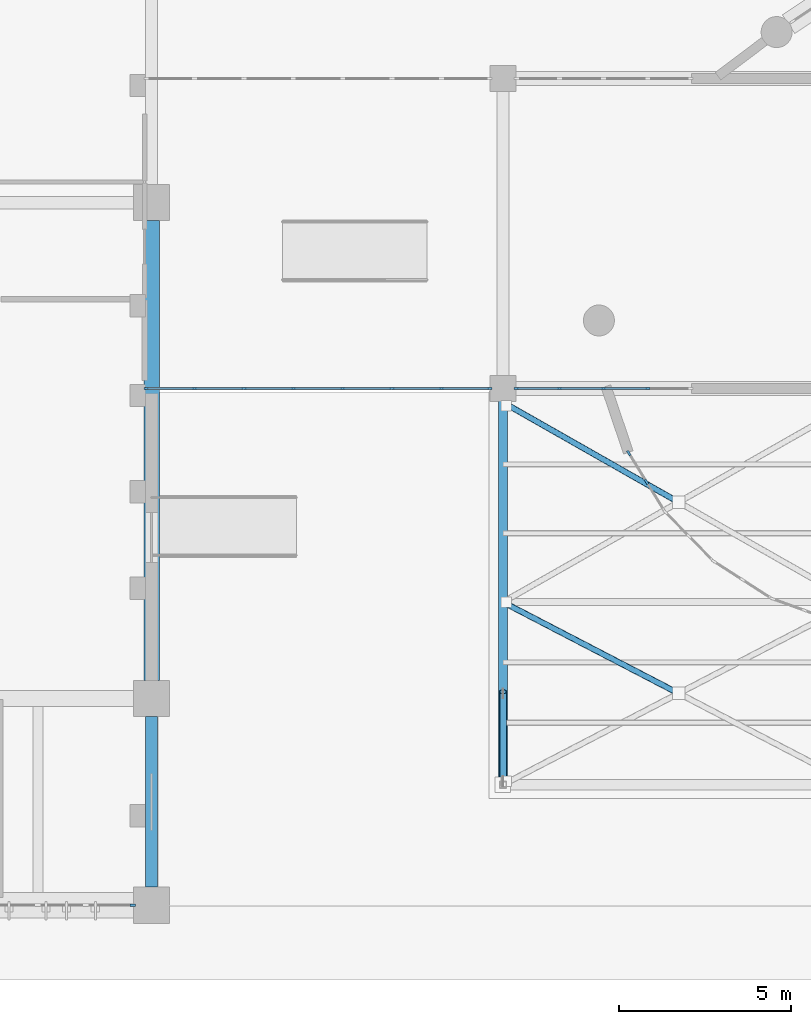
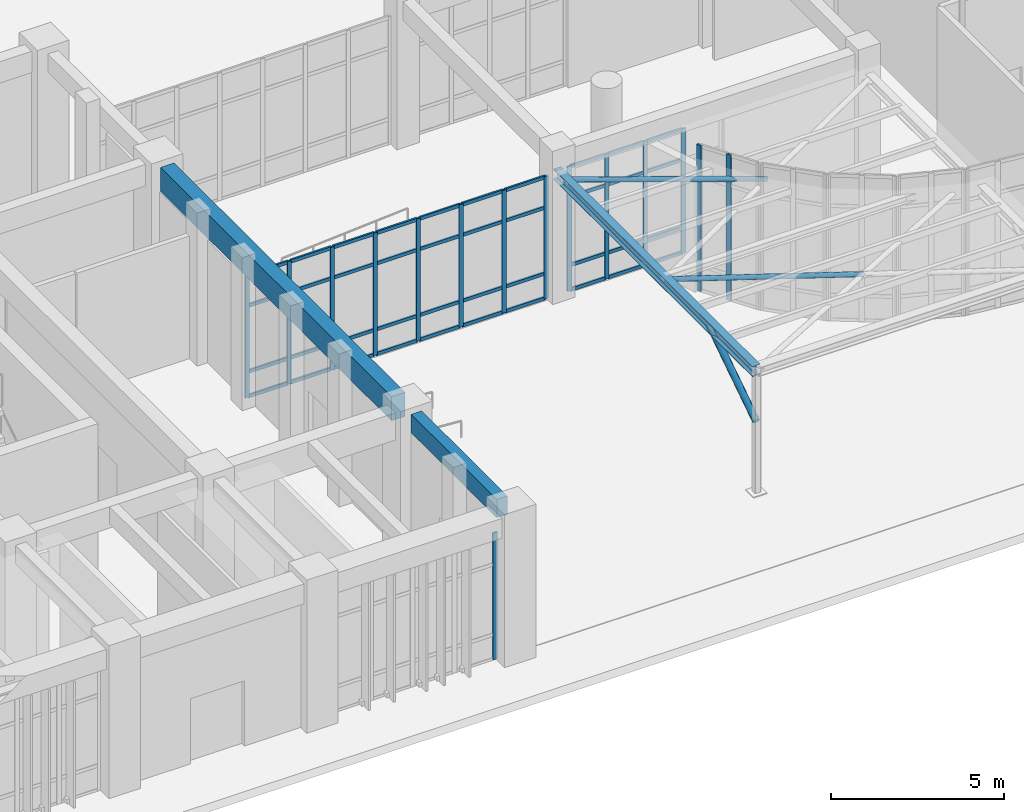
# One storey, part 9 of 70: 58 members, 3 beams, 4 elements without a shape of their own.
"""IFC4 building model written with IfcOpenShell, lengths in metres."""

from ifc_helpers import new_model, si_unit, direction, frame, origin, origin_2d, place, context, subcontext, project, spatial, rectangle, hollow_circle, i_section, extrude, material, layer, layer_set, material_profile, profile_set, type_object, element, aggregate, save


model = new_model("IFC4")

# Units and contexts
model_context = context("Model", 3, precision=1e-05, world=origin(), true_north=direction((0.0, 1.0)))
body_context = subcontext(model_context, "Body", "Model", "MODEL_VIEW")
ifc_project = project(units=[si_unit("LENGTHUNIT", "METRE"), si_unit("AREAUNIT", "SQUARE_METRE"), si_unit("VOLUMEUNIT", "CUBIC_METRE"), si_unit("PLANEANGLEUNIT", "RADIAN"), si_unit("MASSUNIT", "GRAM", prefix="KILO")], contexts=[model_context])

# Site, building, storey
site_placement = place(None, origin())
site = spatial("IfcSite", under=ifc_project, at=site_placement, CompositionType="ELEMENT")
building_placement = place(site_placement, origin())
building = spatial("IfcBuilding", under=site, at=building_placement, Name="Miralva Faculty of Natural Sciences", CompositionType="ELEMENT")
storey_placement = place(building_placement, origin())
storey = spatial("IfcBuildingStorey", under=building, at=storey_placement, Name="L00", CompositionType="ELEMENT", Elevation=0.0)

# Beams
ifc_material_1 = material(Name="Concrete C40/50", Category="concrete")
ifc_material_profile_1 = material_profile(ifc_material_1, rectangle(XDim=0.449951171875, YDim=0.85009765625, at=origin_2d()), Name="RC 450x850")
ifc_profile_set_1 = profile_set([ifc_material_profile_1], Name="Concrete C40/50")
beam_type_1 = type_object("IfcBeamType", Name="BM-B01", PredefinedType="BEAM", material=ifc_profile_set_1)
beam_1_placement = place(storey_placement, frame((36.0, 9.52490234375, 4.7548828125), z_axis=(0.0, 1.0, 0.0), x_axis=(-1.0, 0.0, 0.0)))
element("IfcBeam", 1, at=beam_1_placement, inside=storey, type_object=beam_type_1, Name="Girder NS L00-159", PredefinedType="BEAM", context=body_context, shape_type="SweptSolid", body=[
    extrude(rectangle(XDim=0.449951171875, YDim=0.85009765625, at=origin_2d()), origin(), (0.0, 0.0, 1.0), 13.35009765625),
])
ifc_material_profile_2 = material_profile(ifc_material_1, rectangle(XDim=0.35009765625, YDim=0.64990234375, at=origin_2d()), Name="RC 350x650")
ifc_profile_set_2 = profile_set([ifc_material_profile_2], Name="Concrete C40/50")
beam_type_2 = type_object("IfcBeamType", Name="BM-B05", PredefinedType="BEAM", material=ifc_profile_set_2)
beam_2_placement = place(storey_placement, frame((36.0, 3.52490234375, 4.85498046875), z_axis=(0.0, 1.0, 0.0), x_axis=(-1.0, 0.0, 0.0)))
element("IfcBeam", 2, at=beam_2_placement, inside=storey, type_object=beam_type_2, Name="Girder NS L00-158", PredefinedType="BEAM", context=body_context, shape_type="SweptSolid", body=[
    extrude(rectangle(XDim=0.35009765625, YDim=0.64990234375, at=origin_2d()), origin(), (0.0, 0.0, 1.0), 4.9501953125),
])
ifc_material_2 = material(Name="Steel S355", Category="steel")
ifc_material_profile_3 = material_profile(ifc_material_2, i_section(OverallWidth=0.257080078125, OverallDepth=0.363037109375, WebThickness=0.012939453125, FlangeThickness=0.021728515625, FilletRadius=0.014892578125, at=origin_2d()), Name="W360x122")
ifc_profile_set_3 = profile_set([ifc_material_profile_3], Name="Steel S355")
beam_type_3 = type_object("IfcBeamType", Name="BM-SB01", PredefinedType="BEAM", material=ifc_profile_set_3)
beam_3_placement = place(storey_placement, frame((46.199951171875, 6.5, 4.29296875), z_axis=(0.0, 1.0, 0.0), x_axis=(-1.0, 0.0, 0.0)))
element("IfcBeam", 3, at=beam_3_placement, inside=storey, type_object=beam_type_3, Name="Canopy tie steel girder 1", PredefinedType="BEAM", context=body_context, shape_type="SweptSolid", body=[
    extrude(i_section(OverallWidth=0.257080078125, OverallDepth=0.363037109375, WebThickness=0.012939453125, FlangeThickness=0.021728515625, FilletRadius=0.014892578125, at=origin_2d()), origin(), (0.0, 0.0, 1.0), 11.5),
])

# Curtain wall, members
ifc_material_3 = material(Name="Laminated solar-control glass", Category="glass")
ifc_layer_1 = layer(ifc_material_3, 0.179931640625, Name="CW-RND-L00")
ifc_layer_set_1 = layer_set([ifc_layer_1], Name="Laminated solar-control glass")
curtain_wall_type_1 = type_object("IfcCurtainWallType", Name="CW-RND-L00", PredefinedType="USERDEFINED", material=ifc_layer_set_1)
curtain_wall_1_placement = place(storey_placement, origin())
curtain_wall_1 = element("IfcCurtainWall", 4, at=curtain_wall_1_placement, inside=storey, type_object=curtain_wall_type_1, Name="Curtain wall CW-04 L00-20", ObjectType="UNITISED CURTAIN WALL", PredefinedType="USERDEFINED")
ifc_material_4 = material(Name="Anodised aluminium", Category="aluminium")
ifc_material_profile_4 = material_profile(ifc_material_4, rectangle(XDim=0.06494140625, YDim=0.159912109375, at=origin_2d()), Name="MULLION 65x160")
ifc_profile_set_4 = profile_set([ifc_material_profile_4], Name="Anodised aluminium")
member_type_1 = type_object("IfcMemberType", Name="CW-M02", PredefinedType="MULLION", material=ifc_profile_set_4)
member_1_placement = place(storey_placement, frame((49.855224609375, 16.125, 0.0), z_axis=(0.0, 0.0, 1.0), x_axis=(0.851994617353, 0.523550543884, 0.0)))
member_1 = element("IfcMember", 5, at=member_1_placement, type_object=member_type_1, Name="CW-04 mullion 1", PredefinedType="MULLION", context=body_context, shape_type="SweptSolid", body=[
    extrude(rectangle(XDim=0.06494140625, YDim=0.159912109375, at=origin_2d()), origin(), (0.0, 0.0, 1.0), 5.14990234375),
])
member_2_placement = place(storey_placement, frame((50.3671875, 15.2919921875, 0.0), z_axis=(0.0, 0.0, 1.0), x_axis=(0.851994617353, 0.523550543884, 0.0)))
member_2 = element("IfcMember", 6, at=member_2_placement, type_object=member_type_1, Name="CW-04 mullion 2", PredefinedType="MULLION", context=body_context, shape_type="SweptSolid", body=[
    extrude(rectangle(XDim=0.06494140625, YDim=0.159912109375, at=origin_2d()), origin(), (0.0, 0.0, 1.0), 5.14990234375),
])
aggregate(curtain_wall_1, [member_1, member_2])

# Curtain wall, member
ifc_layer_2 = layer(ifc_material_3, 0.179931640625, Name="CW-TWR-L00")
ifc_layer_set_2 = layer_set([ifc_layer_2], Name="Laminated solar-control glass")
curtain_wall_type_2 = type_object("IfcCurtainWallType", Name="CW-TWR-L00", PredefinedType="USERDEFINED", material=ifc_layer_set_2)
curtain_wall_2_placement = place(storey_placement, origin())
curtain_wall_2 = element("IfcCurtainWall", 7, at=curtain_wall_2_placement, inside=storey, type_object=curtain_wall_type_2, Name="Curtain wall CW-12 L00-212", ObjectType="UNITISED CURTAIN WALL", PredefinedType="USERDEFINED")
member_3_placement = place(storey_placement, frame((35.452392578125, 3.0, 0.0), z_axis=(0.0, 0.0, 1.0), x_axis=(0.0, 1.0, 0.0)))
member_3 = element("IfcMember", 8, at=member_3_placement, type_object=member_type_1, Name="CW-12 mullion 5", PredefinedType="MULLION", context=body_context, shape_type="SweptSolid", body=[
    extrude(rectangle(XDim=0.06494140625, YDim=0.159912109375, at=origin_2d()), origin(), (0.0, 0.0, 1.0), 4.47509765625),
])
aggregate(curtain_wall_2, [member_3])

# Curtain wall, members
ifc_layer_3 = layer(ifc_material_3, 0.179931640625, Name="CW-COM-L01")
ifc_layer_set_3 = layer_set([ifc_layer_3], Name="Laminated solar-control glass")
curtain_wall_type_3 = type_object("IfcCurtainWallType", Name="CW-COM-L01", PredefinedType="USERDEFINED", material=ifc_layer_set_3)
curtain_wall_3_placement = place(storey_placement, origin())
curtain_wall_3 = element("IfcCurtainWall", 9, at=curtain_wall_3_placement, inside=storey, type_object=curtain_wall_type_3, Name="Curtain wall CW-10 L00-282", ObjectType="UNITISED CURTAIN WALL", PredefinedType="USERDEFINED")
ifc_material_profile_5 = material_profile(ifc_material_4, rectangle(XDim=0.06005859375, YDim=0.139892578125, at=origin_2d()), Name="MULLION 60x140")
ifc_profile_set_5 = profile_set([ifc_material_profile_5], Name="Anodised aluminium")
member_type_2 = type_object("IfcMemberType", Name="CW-M03", PredefinedType="MULLION", material=ifc_profile_set_5)
member_4_placement = place(storey_placement, frame((35.844970703125, 18.0, 0.0), z_axis=(0.0, 0.0, 1.0), x_axis=(0.0, 1.0, 0.0)))
member_4 = element("IfcMember", 10, at=member_4_placement, type_object=member_type_2, Name="CW-10 mullion 1", PredefinedType="MULLION", context=body_context, shape_type="SweptSolid", body=[
    extrude(rectangle(XDim=0.06005859375, YDim=0.139892578125, at=origin_2d()), origin(), (0.0, 0.0, 1.0), 4.324951171875),
])
member_5_placement = place(storey_placement, frame((37.247802734375, 18.0, 0.0), z_axis=(0.0, 0.0, 1.0), x_axis=(0.0, 1.0, 0.0)))
member_5 = element("IfcMember", 11, at=member_5_placement, type_object=member_type_2, Name="CW-10 mullion 2", PredefinedType="MULLION", context=body_context, shape_type="SweptSolid", body=[
    extrude(rectangle(XDim=0.06005859375, YDim=0.139892578125, at=origin_2d()), origin(), (0.0, 0.0, 1.0), 4.324951171875),
])
member_6_placement = place(storey_placement, frame((38.6806640625, 18.0, 0.0), z_axis=(0.0, 0.0, 1.0), x_axis=(0.0, 1.0, 0.0)))
member_6 = element("IfcMember", 12, at=member_6_placement, type_object=member_type_2, Name="CW-10 mullion 3", PredefinedType="MULLION", context=body_context, shape_type="SweptSolid", body=[
    extrude(rectangle(XDim=0.06005859375, YDim=0.139892578125, at=origin_2d()), origin(), (0.0, 0.0, 1.0), 4.324951171875),
])
member_7_placement = place(storey_placement, frame((40.113525390625, 18.0, 0.0), z_axis=(0.0, 0.0, 1.0), x_axis=(0.0, 1.0, 0.0)))
member_7 = element("IfcMember", 13, at=member_7_placement, type_object=member_type_2, Name="CW-10 mullion 4", PredefinedType="MULLION", context=body_context, shape_type="SweptSolid", body=[
    extrude(rectangle(XDim=0.06005859375, YDim=0.139892578125, at=origin_2d()), origin(), (0.0, 0.0, 1.0), 4.324951171875),
])
member_8_placement = place(storey_placement, frame((41.54638671875, 18.0, 0.0), z_axis=(0.0, 0.0, 1.0), x_axis=(0.0, 1.0, 0.0)))
member_8 = element("IfcMember", 14, at=member_8_placement, type_object=member_type_2, Name="CW-10 mullion 5", PredefinedType="MULLION", context=body_context, shape_type="SweptSolid", body=[
    extrude(rectangle(XDim=0.06005859375, YDim=0.139892578125, at=origin_2d()), origin(), (0.0, 0.0, 1.0), 4.324951171875),
])
member_9_placement = place(storey_placement, frame((42.979248046875, 18.0, 0.0), z_axis=(0.0, 0.0, 1.0), x_axis=(0.0, 1.0, 0.0)))
member_9 = element("IfcMember", 15, at=member_9_placement, type_object=member_type_2, Name="CW-10 mullion 6", PredefinedType="MULLION", context=body_context, shape_type="SweptSolid", body=[
    extrude(rectangle(XDim=0.06005859375, YDim=0.139892578125, at=origin_2d()), origin(), (0.0, 0.0, 1.0), 4.324951171875),
])
member_10_placement = place(storey_placement, frame((44.412109375, 18.0, 0.0), z_axis=(0.0, 0.0, 1.0), x_axis=(0.0, 1.0, 0.0)))
member_10 = element("IfcMember", 16, at=member_10_placement, type_object=member_type_2, Name="CW-10 mullion 7", PredefinedType="MULLION", context=body_context, shape_type="SweptSolid", body=[
    extrude(rectangle(XDim=0.06005859375, YDim=0.139892578125, at=origin_2d()), origin(), (0.0, 0.0, 1.0), 4.324951171875),
])
member_11_placement = place(storey_placement, frame((45.81494140625, 18.0, 0.0), z_axis=(0.0, 0.0, 1.0), x_axis=(0.0, 1.0, 0.0)))
member_11 = element("IfcMember", 17, at=member_11_placement, type_object=member_type_2, Name="CW-10 mullion 8", PredefinedType="MULLION", context=body_context, shape_type="SweptSolid", body=[
    extrude(rectangle(XDim=0.06005859375, YDim=0.139892578125, at=origin_2d()), origin(), (0.0, 0.0, 1.0), 4.324951171875),
])

curtain_wall_4_placement = place(storey_placement, origin())
curtain_wall_4 = element("IfcCurtainWall", 18, at=curtain_wall_4_placement, inside=storey, type_object=curtain_wall_type_3, Name="Curtain wall CW-10 L00-283", ObjectType="UNITISED CURTAIN WALL", PredefinedType="USERDEFINED")
member_12_placement = place(storey_placement, frame((46.594970703125, 18.0, 0.0), z_axis=(0.0, 0.0, 1.0), x_axis=(0.0, 1.0, 0.0)))
member_12 = element("IfcMember", 19, at=member_12_placement, type_object=member_type_2, Name="CW-10 mullion 1", PredefinedType="MULLION", context=body_context, shape_type="SweptSolid", body=[
    extrude(rectangle(XDim=0.06005859375, YDim=0.139892578125, at=origin_2d()), origin(), (0.0, 0.0, 1.0), 4.405029296875),
])
member_13_placement = place(storey_placement, frame((47.84375, 18.0, 0.0), z_axis=(0.0, 0.0, 1.0), x_axis=(0.0, 1.0, 0.0)))
member_13 = element("IfcMember", 20, at=member_13_placement, type_object=member_type_2, Name="CW-10 mullion 2", PredefinedType="MULLION", context=body_context, shape_type="SweptSolid", body=[
    extrude(rectangle(XDim=0.06005859375, YDim=0.139892578125, at=origin_2d()), origin(), (0.0, 0.0, 1.0), 4.405029296875),
])
member_14_placement = place(storey_placement, frame((49.12255859375, 18.0, 0.0), z_axis=(0.0, 0.0, 1.0), x_axis=(0.0, 1.0, 0.0)))
member_14 = element("IfcMember", 21, at=member_14_placement, type_object=member_type_2, Name="CW-10 mullion 3", PredefinedType="MULLION", context=body_context, shape_type="SweptSolid", body=[
    extrude(rectangle(XDim=0.06005859375, YDim=0.139892578125, at=origin_2d()), origin(), (0.0, 0.0, 1.0), 4.405029296875),
])
member_15_placement = place(storey_placement, frame((50.4013671875, 18.0, 0.0), z_axis=(0.0, 0.0, 1.0), x_axis=(0.0, 1.0, 0.0)))
member_15 = element("IfcMember", 22, at=member_15_placement, type_object=member_type_2, Name="CW-10 mullion 4", PredefinedType="MULLION", context=body_context, shape_type="SweptSolid", body=[
    extrude(rectangle(XDim=0.06005859375, YDim=0.139892578125, at=origin_2d()), origin(), (0.0, 0.0, 1.0), 4.405029296875),
])

# Member
ifc_material_profile_6 = material_profile(ifc_material_4, rectangle(XDim=0.06005859375, YDim=0.1201171875, at=origin_2d()), Name="TRANSOM 60x120")
ifc_profile_set_6 = profile_set([ifc_material_profile_6], Name="Anodised aluminium")
member_type_3 = type_object("IfcMemberType", Name="CW-T02", PredefinedType="USERDEFINED", material=ifc_profile_set_6)
member_16_placement = place(storey_placement, frame((35.875, 18.0, 0.030029296875), z_axis=(1.0, 0.0, 0.0), x_axis=(0.0, 1.0, 0.0)))
member_16 = element("IfcMember", 23, at=member_16_placement, type_object=member_type_3, Name="CW-10 transom 1.1", ObjectType="TRANSOM", PredefinedType="USERDEFINED", context=body_context, shape_type="SweptSolid", body=[
    extrude(rectangle(XDim=0.06005859375, YDim=0.1201171875, at=origin_2d()), origin(), (0.0, 0.0, 1.0), 1.3427734375),
])

member_17_placement = place(storey_placement, frame((35.875, 18.0, 0.89990234375), z_axis=(1.0, 0.0, 0.0), x_axis=(0.0, 1.0, 0.0)))
member_17 = element("IfcMember", 24, at=member_17_placement, type_object=member_type_3, Name="CW-10 transom 1.2", ObjectType="TRANSOM", PredefinedType="USERDEFINED", context=body_context, shape_type="SweptSolid", body=[
    extrude(rectangle(XDim=0.06005859375, YDim=0.1201171875, at=origin_2d()), origin(), (0.0, 0.0, 1.0), 1.3427734375),
])

member_18_placement = place(storey_placement, frame((35.875, 18.0, 3.22509765625), z_axis=(1.0, 0.0, 0.0), x_axis=(0.0, 1.0, 0.0)))
member_18 = element("IfcMember", 25, at=member_18_placement, type_object=member_type_3, Name="CW-10 transom 1.3", ObjectType="TRANSOM", PredefinedType="USERDEFINED", context=body_context, shape_type="SweptSolid", body=[
    extrude(rectangle(XDim=0.06005859375, YDim=0.1201171875, at=origin_2d()), origin(), (0.0, 0.0, 1.0), 1.3427734375),
])

member_19_placement = place(storey_placement, frame((35.875, 18.0, 4.294921875), z_axis=(1.0, 0.0, 0.0), x_axis=(0.0, 1.0, 0.0)))
member_19 = element("IfcMember", 26, at=member_19_placement, type_object=member_type_3, Name="CW-10 transom 1.4", ObjectType="TRANSOM", PredefinedType="USERDEFINED", context=body_context, shape_type="SweptSolid", body=[
    extrude(rectangle(XDim=0.06005859375, YDim=0.1201171875, at=origin_2d()), origin(), (0.0, 0.0, 1.0), 1.3427734375),
])

member_20_placement = place(storey_placement, frame((37.27783203125, 18.0, 0.030029296875), z_axis=(1.0, 0.0, 0.0), x_axis=(0.0, 1.0, 0.0)))
member_20 = element("IfcMember", 27, at=member_20_placement, type_object=member_type_3, Name="CW-10 transom 2.1", ObjectType="TRANSOM", PredefinedType="USERDEFINED", context=body_context, shape_type="SweptSolid", body=[
    extrude(rectangle(XDim=0.06005859375, YDim=0.1201171875, at=origin_2d()), origin(), (0.0, 0.0, 1.0), 1.372802734375),
])

member_21_placement = place(storey_placement, frame((37.27783203125, 18.0, 0.89990234375), z_axis=(1.0, 0.0, 0.0), x_axis=(0.0, 1.0, 0.0)))
member_21 = element("IfcMember", 28, at=member_21_placement, type_object=member_type_3, Name="CW-10 transom 2.2", ObjectType="TRANSOM", PredefinedType="USERDEFINED", context=body_context, shape_type="SweptSolid", body=[
    extrude(rectangle(XDim=0.06005859375, YDim=0.1201171875, at=origin_2d()), origin(), (0.0, 0.0, 1.0), 1.372802734375),
])

member_22_placement = place(storey_placement, frame((37.27783203125, 18.0, 3.22509765625), z_axis=(1.0, 0.0, 0.0), x_axis=(0.0, 1.0, 0.0)))
member_22 = element("IfcMember", 29, at=member_22_placement, type_object=member_type_3, Name="CW-10 transom 2.3", ObjectType="TRANSOM", PredefinedType="USERDEFINED", context=body_context, shape_type="SweptSolid", body=[
    extrude(rectangle(XDim=0.06005859375, YDim=0.1201171875, at=origin_2d()), origin(), (0.0, 0.0, 1.0), 1.372802734375),
])

member_23_placement = place(storey_placement, frame((37.27783203125, 18.0, 4.294921875), z_axis=(1.0, 0.0, 0.0), x_axis=(0.0, 1.0, 0.0)))
member_23 = element("IfcMember", 30, at=member_23_placement, type_object=member_type_3, Name="CW-10 transom 2.4", ObjectType="TRANSOM", PredefinedType="USERDEFINED", context=body_context, shape_type="SweptSolid", body=[
    extrude(rectangle(XDim=0.06005859375, YDim=0.1201171875, at=origin_2d()), origin(), (0.0, 0.0, 1.0), 1.372802734375),
])

member_24_placement = place(storey_placement, frame((38.710693359375, 18.0, 0.030029296875), z_axis=(1.0, 0.0, 0.0), x_axis=(0.0, 1.0, 0.0)))
member_24 = element("IfcMember", 31, at=member_24_placement, type_object=member_type_3, Name="CW-10 transom 3.1", ObjectType="TRANSOM", PredefinedType="USERDEFINED", context=body_context, shape_type="SweptSolid", body=[
    extrude(rectangle(XDim=0.06005859375, YDim=0.1201171875, at=origin_2d()), origin(), (0.0, 0.0, 1.0), 1.372802734375),
])

member_25_placement = place(storey_placement, frame((38.710693359375, 18.0, 0.89990234375), z_axis=(1.0, 0.0, 0.0), x_axis=(0.0, 1.0, 0.0)))
member_25 = element("IfcMember", 32, at=member_25_placement, type_object=member_type_3, Name="CW-10 transom 3.2", ObjectType="TRANSOM", PredefinedType="USERDEFINED", context=body_context, shape_type="SweptSolid", body=[
    extrude(rectangle(XDim=0.06005859375, YDim=0.1201171875, at=origin_2d()), origin(), (0.0, 0.0, 1.0), 1.372802734375),
])

member_26_placement = place(storey_placement, frame((38.710693359375, 18.0, 3.22509765625), z_axis=(1.0, 0.0, 0.0), x_axis=(0.0, 1.0, 0.0)))
member_26 = element("IfcMember", 33, at=member_26_placement, type_object=member_type_3, Name="CW-10 transom 3.3", ObjectType="TRANSOM", PredefinedType="USERDEFINED", context=body_context, shape_type="SweptSolid", body=[
    extrude(rectangle(XDim=0.06005859375, YDim=0.1201171875, at=origin_2d()), origin(), (0.0, 0.0, 1.0), 1.372802734375),
])

member_27_placement = place(storey_placement, frame((38.710693359375, 18.0, 4.294921875), z_axis=(1.0, 0.0, 0.0), x_axis=(0.0, 1.0, 0.0)))
member_27 = element("IfcMember", 34, at=member_27_placement, type_object=member_type_3, Name="CW-10 transom 3.4", ObjectType="TRANSOM", PredefinedType="USERDEFINED", context=body_context, shape_type="SweptSolid", body=[
    extrude(rectangle(XDim=0.06005859375, YDim=0.1201171875, at=origin_2d()), origin(), (0.0, 0.0, 1.0), 1.372802734375),
])

member_28_placement = place(storey_placement, frame((40.1435546875, 18.0, 0.030029296875), z_axis=(1.0, 0.0, 0.0), x_axis=(0.0, 1.0, 0.0)))
member_28 = element("IfcMember", 35, at=member_28_placement, type_object=member_type_3, Name="CW-10 transom 4.1", ObjectType="TRANSOM", PredefinedType="USERDEFINED", context=body_context, shape_type="SweptSolid", body=[
    extrude(rectangle(XDim=0.06005859375, YDim=0.1201171875, at=origin_2d()), origin(), (0.0, 0.0, 1.0), 1.372802734375),
])

member_29_placement = place(storey_placement, frame((40.1435546875, 18.0, 0.89990234375), z_axis=(1.0, 0.0, 0.0), x_axis=(0.0, 1.0, 0.0)))
member_29 = element("IfcMember", 36, at=member_29_placement, type_object=member_type_3, Name="CW-10 transom 4.2", ObjectType="TRANSOM", PredefinedType="USERDEFINED", context=body_context, shape_type="SweptSolid", body=[
    extrude(rectangle(XDim=0.06005859375, YDim=0.1201171875, at=origin_2d()), origin(), (0.0, 0.0, 1.0), 1.372802734375),
])

member_30_placement = place(storey_placement, frame((40.1435546875, 18.0, 3.22509765625), z_axis=(1.0, 0.0, 0.0), x_axis=(0.0, 1.0, 0.0)))
member_30 = element("IfcMember", 37, at=member_30_placement, type_object=member_type_3, Name="CW-10 transom 4.3", ObjectType="TRANSOM", PredefinedType="USERDEFINED", context=body_context, shape_type="SweptSolid", body=[
    extrude(rectangle(XDim=0.06005859375, YDim=0.1201171875, at=origin_2d()), origin(), (0.0, 0.0, 1.0), 1.372802734375),
])

member_31_placement = place(storey_placement, frame((40.1435546875, 18.0, 4.294921875), z_axis=(1.0, 0.0, 0.0), x_axis=(0.0, 1.0, 0.0)))
member_31 = element("IfcMember", 38, at=member_31_placement, type_object=member_type_3, Name="CW-10 transom 4.4", ObjectType="TRANSOM", PredefinedType="USERDEFINED", context=body_context, shape_type="SweptSolid", body=[
    extrude(rectangle(XDim=0.06005859375, YDim=0.1201171875, at=origin_2d()), origin(), (0.0, 0.0, 1.0), 1.372802734375),
])

member_32_placement = place(storey_placement, frame((41.576416015625, 18.0, 0.030029296875), z_axis=(1.0, 0.0, 0.0), x_axis=(0.0, 1.0, 0.0)))
member_32 = element("IfcMember", 39, at=member_32_placement, type_object=member_type_3, Name="CW-10 transom 5.1", ObjectType="TRANSOM", PredefinedType="USERDEFINED", context=body_context, shape_type="SweptSolid", body=[
    extrude(rectangle(XDim=0.06005859375, YDim=0.1201171875, at=origin_2d()), origin(), (0.0, 0.0, 1.0), 1.372802734375),
])

member_33_placement = place(storey_placement, frame((41.576416015625, 18.0, 0.89990234375), z_axis=(1.0, 0.0, 0.0), x_axis=(0.0, 1.0, 0.0)))
member_33 = element("IfcMember", 40, at=member_33_placement, type_object=member_type_3, Name="CW-10 transom 5.2", ObjectType="TRANSOM", PredefinedType="USERDEFINED", context=body_context, shape_type="SweptSolid", body=[
    extrude(rectangle(XDim=0.06005859375, YDim=0.1201171875, at=origin_2d()), origin(), (0.0, 0.0, 1.0), 1.372802734375),
])

member_34_placement = place(storey_placement, frame((41.576416015625, 18.0, 3.22509765625), z_axis=(1.0, 0.0, 0.0), x_axis=(0.0, 1.0, 0.0)))
member_34 = element("IfcMember", 41, at=member_34_placement, type_object=member_type_3, Name="CW-10 transom 5.3", ObjectType="TRANSOM", PredefinedType="USERDEFINED", context=body_context, shape_type="SweptSolid", body=[
    extrude(rectangle(XDim=0.06005859375, YDim=0.1201171875, at=origin_2d()), origin(), (0.0, 0.0, 1.0), 1.372802734375),
])

member_35_placement = place(storey_placement, frame((41.576416015625, 18.0, 4.294921875), z_axis=(1.0, 0.0, 0.0), x_axis=(0.0, 1.0, 0.0)))
member_35 = element("IfcMember", 42, at=member_35_placement, type_object=member_type_3, Name="CW-10 transom 5.4", ObjectType="TRANSOM", PredefinedType="USERDEFINED", context=body_context, shape_type="SweptSolid", body=[
    extrude(rectangle(XDim=0.06005859375, YDim=0.1201171875, at=origin_2d()), origin(), (0.0, 0.0, 1.0), 1.372802734375),
])

member_36_placement = place(storey_placement, frame((43.00927734375, 18.0, 0.030029296875), z_axis=(1.0, 0.0, 0.0), x_axis=(0.0, 1.0, 0.0)))
member_36 = element("IfcMember", 43, at=member_36_placement, type_object=member_type_3, Name="CW-10 transom 6.1", ObjectType="TRANSOM", PredefinedType="USERDEFINED", context=body_context, shape_type="SweptSolid", body=[
    extrude(rectangle(XDim=0.06005859375, YDim=0.1201171875, at=origin_2d()), origin(), (0.0, 0.0, 1.0), 1.372802734375),
])

member_37_placement = place(storey_placement, frame((43.00927734375, 18.0, 0.89990234375), z_axis=(1.0, 0.0, 0.0), x_axis=(0.0, 1.0, 0.0)))
member_37 = element("IfcMember", 44, at=member_37_placement, type_object=member_type_3, Name="CW-10 transom 6.2", ObjectType="TRANSOM", PredefinedType="USERDEFINED", context=body_context, shape_type="SweptSolid", body=[
    extrude(rectangle(XDim=0.06005859375, YDim=0.1201171875, at=origin_2d()), origin(), (0.0, 0.0, 1.0), 1.372802734375),
])

member_38_placement = place(storey_placement, frame((43.00927734375, 18.0, 3.22509765625), z_axis=(1.0, 0.0, 0.0), x_axis=(0.0, 1.0, 0.0)))
member_38 = element("IfcMember", 45, at=member_38_placement, type_object=member_type_3, Name="CW-10 transom 6.3", ObjectType="TRANSOM", PredefinedType="USERDEFINED", context=body_context, shape_type="SweptSolid", body=[
    extrude(rectangle(XDim=0.06005859375, YDim=0.1201171875, at=origin_2d()), origin(), (0.0, 0.0, 1.0), 1.372802734375),
])

member_39_placement = place(storey_placement, frame((43.00927734375, 18.0, 4.294921875), z_axis=(1.0, 0.0, 0.0), x_axis=(0.0, 1.0, 0.0)))
member_39 = element("IfcMember", 46, at=member_39_placement, type_object=member_type_3, Name="CW-10 transom 6.4", ObjectType="TRANSOM", PredefinedType="USERDEFINED", context=body_context, shape_type="SweptSolid", body=[
    extrude(rectangle(XDim=0.06005859375, YDim=0.1201171875, at=origin_2d()), origin(), (0.0, 0.0, 1.0), 1.372802734375),
])

member_40_placement = place(storey_placement, frame((44.442138671875, 18.0, 0.030029296875), z_axis=(1.0, 0.0, 0.0), x_axis=(0.0, 1.0, 0.0)))
member_40 = element("IfcMember", 47, at=member_40_placement, type_object=member_type_3, Name="CW-10 transom 7.1", ObjectType="TRANSOM", PredefinedType="USERDEFINED", context=body_context, shape_type="SweptSolid", body=[
    extrude(rectangle(XDim=0.06005859375, YDim=0.1201171875, at=origin_2d()), origin(), (0.0, 0.0, 1.0), 1.3427734375),
])

member_41_placement = place(storey_placement, frame((44.442138671875, 18.0, 0.89990234375), z_axis=(1.0, 0.0, 0.0), x_axis=(0.0, 1.0, 0.0)))
member_41 = element("IfcMember", 48, at=member_41_placement, type_object=member_type_3, Name="CW-10 transom 7.2", ObjectType="TRANSOM", PredefinedType="USERDEFINED", context=body_context, shape_type="SweptSolid", body=[
    extrude(rectangle(XDim=0.06005859375, YDim=0.1201171875, at=origin_2d()), origin(), (0.0, 0.0, 1.0), 1.3427734375),
])

member_42_placement = place(storey_placement, frame((44.442138671875, 18.0, 3.22509765625), z_axis=(1.0, 0.0, 0.0), x_axis=(0.0, 1.0, 0.0)))
member_42 = element("IfcMember", 49, at=member_42_placement, type_object=member_type_3, Name="CW-10 transom 7.3", ObjectType="TRANSOM", PredefinedType="USERDEFINED", context=body_context, shape_type="SweptSolid", body=[
    extrude(rectangle(XDim=0.06005859375, YDim=0.1201171875, at=origin_2d()), origin(), (0.0, 0.0, 1.0), 1.3427734375),
])

member_43_placement = place(storey_placement, frame((44.442138671875, 18.0, 4.294921875), z_axis=(1.0, 0.0, 0.0), x_axis=(0.0, 1.0, 0.0)))
member_43 = element("IfcMember", 50, at=member_43_placement, type_object=member_type_3, Name="CW-10 transom 7.4", ObjectType="TRANSOM", PredefinedType="USERDEFINED", context=body_context, shape_type="SweptSolid", body=[
    extrude(rectangle(XDim=0.06005859375, YDim=0.1201171875, at=origin_2d()), origin(), (0.0, 0.0, 1.0), 1.3427734375),
])

aggregate(curtain_wall_3, [member_4, member_5, member_6, member_7, member_8, member_9, member_10, member_11, member_16, member_17, member_18, member_19, member_20, member_21, member_22, member_23, member_24, member_25, member_26, member_27, member_28, member_29, member_30, member_31, member_32, member_33, member_34, member_35, member_36, member_37, member_38, member_39, member_40, member_41, member_42, member_43])

member_44_placement = place(storey_placement, frame((46.625, 18.0, 0.030029296875), z_axis=(1.0, 0.0, 0.0), x_axis=(0.0, 1.0, 0.0)))
member_44 = element("IfcMember", 51, at=member_44_placement, type_object=member_type_3, Name="CW-10 transom 1.1", ObjectType="TRANSOM", PredefinedType="USERDEFINED", context=body_context, shape_type="SweptSolid", body=[
    extrude(rectangle(XDim=0.06005859375, YDim=0.1201171875, at=origin_2d()), origin(), (0.0, 0.0, 1.0), 1.188720703125),
])

member_45_placement = place(storey_placement, frame((46.625, 18.0, 0.89990234375), z_axis=(1.0, 0.0, 0.0), x_axis=(0.0, 1.0, 0.0)))
member_45 = element("IfcMember", 52, at=member_45_placement, type_object=member_type_3, Name="CW-10 transom 1.2", ObjectType="TRANSOM", PredefinedType="USERDEFINED", context=body_context, shape_type="SweptSolid", body=[
    extrude(rectangle(XDim=0.06005859375, YDim=0.1201171875, at=origin_2d()), origin(), (0.0, 0.0, 1.0), 1.188720703125),
])

member_46_placement = place(storey_placement, frame((46.625, 18.0, 3.304931640625), z_axis=(1.0, 0.0, 0.0), x_axis=(0.0, 1.0, 0.0)))
member_46 = element("IfcMember", 53, at=member_46_placement, type_object=member_type_3, Name="CW-10 transom 1.3", ObjectType="TRANSOM", PredefinedType="USERDEFINED", context=body_context, shape_type="SweptSolid", body=[
    extrude(rectangle(XDim=0.06005859375, YDim=0.1201171875, at=origin_2d()), origin(), (0.0, 0.0, 1.0), 1.188720703125),
])

member_47_placement = place(storey_placement, frame((46.625, 18.0, 4.375), z_axis=(1.0, 0.0, 0.0), x_axis=(0.0, 1.0, 0.0)))
member_47 = element("IfcMember", 54, at=member_47_placement, type_object=member_type_3, Name="CW-10 transom 1.4", ObjectType="TRANSOM", PredefinedType="USERDEFINED", context=body_context, shape_type="SweptSolid", body=[
    extrude(rectangle(XDim=0.06005859375, YDim=0.1201171875, at=origin_2d()), origin(), (0.0, 0.0, 1.0), 1.188720703125),
])

member_48_placement = place(storey_placement, frame((47.873779296875, 18.0, 0.030029296875), z_axis=(1.0, 0.0, 0.0), x_axis=(0.0, 1.0, 0.0)))
member_48 = element("IfcMember", 55, at=member_48_placement, type_object=member_type_3, Name="CW-10 transom 2.1", ObjectType="TRANSOM", PredefinedType="USERDEFINED", context=body_context, shape_type="SweptSolid", body=[
    extrude(rectangle(XDim=0.06005859375, YDim=0.1201171875, at=origin_2d()), origin(), (0.0, 0.0, 1.0), 1.21875),
])

member_49_placement = place(storey_placement, frame((47.873779296875, 18.0, 0.89990234375), z_axis=(1.0, 0.0, 0.0), x_axis=(0.0, 1.0, 0.0)))
member_49 = element("IfcMember", 56, at=member_49_placement, type_object=member_type_3, Name="CW-10 transom 2.2", ObjectType="TRANSOM", PredefinedType="USERDEFINED", context=body_context, shape_type="SweptSolid", body=[
    extrude(rectangle(XDim=0.06005859375, YDim=0.1201171875, at=origin_2d()), origin(), (0.0, 0.0, 1.0), 1.21875),
])

member_50_placement = place(storey_placement, frame((47.873779296875, 18.0, 3.304931640625), z_axis=(1.0, 0.0, 0.0), x_axis=(0.0, 1.0, 0.0)))
member_50 = element("IfcMember", 57, at=member_50_placement, type_object=member_type_3, Name="CW-10 transom 2.3", ObjectType="TRANSOM", PredefinedType="USERDEFINED", context=body_context, shape_type="SweptSolid", body=[
    extrude(rectangle(XDim=0.06005859375, YDim=0.1201171875, at=origin_2d()), origin(), (0.0, 0.0, 1.0), 1.21875),
])

member_51_placement = place(storey_placement, frame((47.873779296875, 18.0, 4.375), z_axis=(1.0, 0.0, 0.0), x_axis=(0.0, 1.0, 0.0)))
member_51 = element("IfcMember", 58, at=member_51_placement, type_object=member_type_3, Name="CW-10 transom 2.4", ObjectType="TRANSOM", PredefinedType="USERDEFINED", context=body_context, shape_type="SweptSolid", body=[
    extrude(rectangle(XDim=0.06005859375, YDim=0.1201171875, at=origin_2d()), origin(), (0.0, 0.0, 1.0), 1.21875),
])

member_52_placement = place(storey_placement, frame((49.152587890625, 18.0, 0.030029296875), z_axis=(1.0, 0.0, 0.0), x_axis=(0.0, 1.0, 0.0)))
member_52 = element("IfcMember", 59, at=member_52_placement, type_object=member_type_3, Name="CW-10 transom 3.1", ObjectType="TRANSOM", PredefinedType="USERDEFINED", context=body_context, shape_type="SweptSolid", body=[
    extrude(rectangle(XDim=0.06005859375, YDim=0.1201171875, at=origin_2d()), origin(), (0.0, 0.0, 1.0), 1.21875),
])

member_53_placement = place(storey_placement, frame((49.152587890625, 18.0, 0.89990234375), z_axis=(1.0, 0.0, 0.0), x_axis=(0.0, 1.0, 0.0)))
member_53 = element("IfcMember", 60, at=member_53_placement, type_object=member_type_3, Name="CW-10 transom 3.2", ObjectType="TRANSOM", PredefinedType="USERDEFINED", context=body_context, shape_type="SweptSolid", body=[
    extrude(rectangle(XDim=0.06005859375, YDim=0.1201171875, at=origin_2d()), origin(), (0.0, 0.0, 1.0), 1.21875),
])

member_54_placement = place(storey_placement, frame((49.152587890625, 18.0, 3.304931640625), z_axis=(1.0, 0.0, 0.0), x_axis=(0.0, 1.0, 0.0)))
member_54 = element("IfcMember", 61, at=member_54_placement, type_object=member_type_3, Name="CW-10 transom 3.3", ObjectType="TRANSOM", PredefinedType="USERDEFINED", context=body_context, shape_type="SweptSolid", body=[
    extrude(rectangle(XDim=0.06005859375, YDim=0.1201171875, at=origin_2d()), origin(), (0.0, 0.0, 1.0), 1.21875),
])

member_55_placement = place(storey_placement, frame((49.152587890625, 18.0, 4.375), z_axis=(1.0, 0.0, 0.0), x_axis=(0.0, 1.0, 0.0)))
member_55 = element("IfcMember", 62, at=member_55_placement, type_object=member_type_3, Name="CW-10 transom 3.4", ObjectType="TRANSOM", PredefinedType="USERDEFINED", context=body_context, shape_type="SweptSolid", body=[
    extrude(rectangle(XDim=0.06005859375, YDim=0.1201171875, at=origin_2d()), origin(), (0.0, 0.0, 1.0), 1.21875),
])

aggregate(curtain_wall_4, [member_12, member_13, member_14, member_15, member_44, member_45, member_46, member_47, member_48, member_49, member_50, member_51, member_52, member_53, member_54, member_55])

# Members
ifc_material_profile_7 = material_profile(ifc_material_2, hollow_circle(Radius=0.084228515625, WallThickness=0.008056640625, at=origin_2d()), Name="CHS 168.3x8")
ifc_profile_set_7 = profile_set([ifc_material_profile_7], Name="Steel S355")
member_type_4 = type_object("IfcMemberType", Name="MEM-BR02", PredefinedType="BRACE", material=ifc_profile_set_7)
member_56_placement = place(storey_placement, frame((46.199951171875, 11.800048828125, 4.300048828125), z_axis=(0.887352380217, -0.461091914182, 0.0), x_axis=(0.461091914182, 0.887352380217, 0.0)))
element("IfcMember", 63, at=member_56_placement, inside=storey, type_object=member_type_4, Name="Canopy split plan brace 1B1", PredefinedType="BRACE", context=body_context, shape_type="SweptSolid", body=[
    extrude(hollow_circle(Radius=0.084228515625, WallThickness=0.008056640625, at=origin_2d()), origin(), (0.0, 0.0, 1.0), 5.74755859375),
])
member_57_placement = place(storey_placement, frame((46.199951171875, 17.60009765625, 4.300048828125), z_axis=(0.869283457477, -0.494313939271, 0.0), x_axis=(0.494313939271, 0.869283457477, 0.0)))
element("IfcMember", 64, at=member_57_placement, inside=storey, type_object=member_type_4, Name="Canopy split plan brace 2B1", PredefinedType="BRACE", context=body_context, shape_type="SweptSolid", body=[
    extrude(hollow_circle(Radius=0.084228515625, WallThickness=0.008056640625, at=origin_2d()), origin(), (0.0, 0.0, 1.0), 5.866943359375),
])
ifc_material_profile_8 = material_profile(ifc_material_2, hollow_circle(Radius=0.109619140625, WallThickness=0.010009765625, at=origin_2d()), Name="CHS 219.1x10")
ifc_profile_set_8 = profile_set([ifc_material_profile_8], Name="Steel S355")
member_type_5 = type_object("IfcMemberType", Name="MEM-ST01", PredefinedType="STRUT", material=ifc_profile_set_8)
member_58_placement = place(storey_placement, frame((46.199951171875, 6.5, 2.5), z_axis=(0.0, 0.834884878329, 0.550424599684), x_axis=(-1.0, 0.0, 0.0)))
element("IfcMember", 65, at=member_58_placement, inside=storey, type_object=member_type_5, Name="Canopy tubular steel strut 1A", PredefinedType="STRUT", context=body_context, shape_type="SweptSolid", body=[
    extrude(hollow_circle(Radius=0.109619140625, WallThickness=0.010009765625, at=origin_2d()), origin(), (0.0, 0.0, 1.0), 3.23388671875),
])

save(model, "model.ifc")
